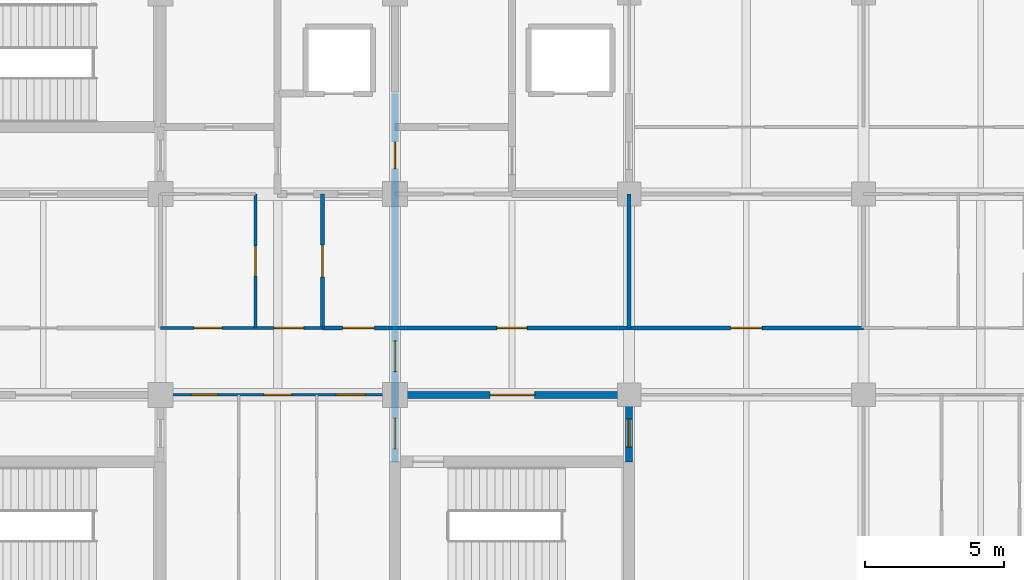
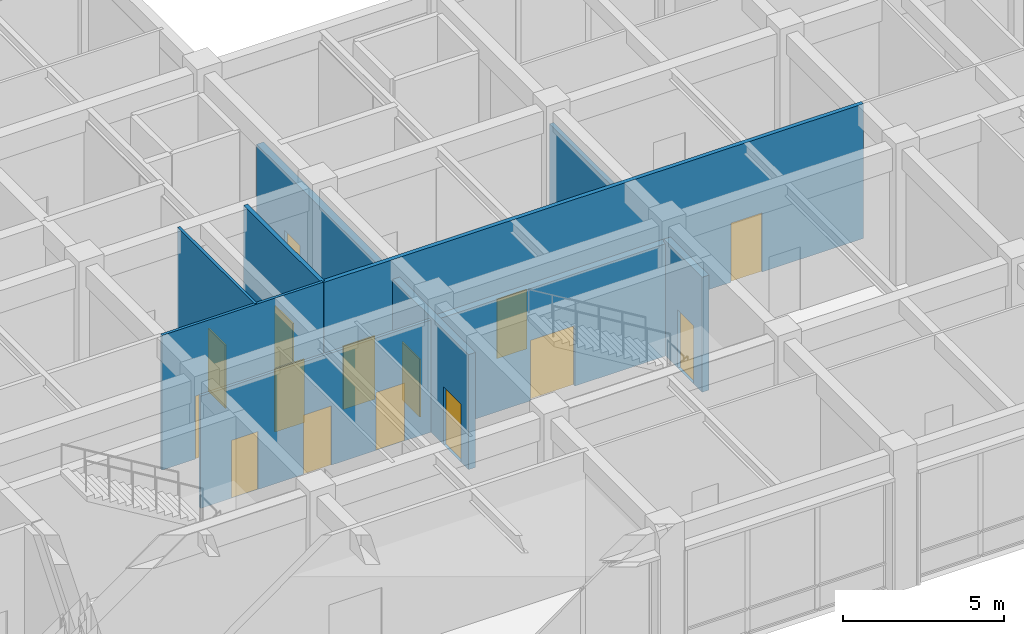
# One storey, part 39 of 58: 15 doors, 9 walls, 15 openings.
"""IFC4 building model written with IfcOpenShell, lengths in metres."""

import ifcopenshell
import ifcopenshell.guid

model = None  # the IFC model being written
_history = None  # IfcOwnerHistory: only IFC2X3 demands one
_inside = {}  # id of a spatial element -> (the spatial element, [elements in it])
_under = {}  # id of a project, library or spatial element -> (it, [spatial elements below it])
_declared = {}  # id of a project -> (the project, [libraries it declares])
_typed = {}  # id of a type object -> (the type object, [elements of that type])
_made_of = {}  # id of a material, layer set ... -> (it, [elements and type objects made of it])


def new_model(schema):
    """Start an empty IFC model of exactly this schema.

    Asked for "IFC4X3", IfcOpenShell would pick the latest addendum, in which some entities
    have other attributes; the version numbers below select the first issue.
    IFC2X3 requires an IfcOwnerHistory on every rooted entity: one is made here for all.
    """
    global model, _history
    if schema == "IFC4X3":
        model = ifcopenshell.file(schema_version=(4, 3, 0, 0))
    else:
        model = ifcopenshell.file(schema=schema)
    _inside.clear()
    _under.clear()
    _declared.clear()
    _typed.clear()
    _made_of.clear()
    _history = None
    if model.schema == "IFC2X3":
        org = make("IfcOrganization", Name="unknown")
        user = make(
            "IfcPersonAndOrganization",
            ThePerson=make("IfcPerson", FamilyName="unknown"),
            TheOrganization=org,
        )
        app = make(
            "IfcApplication",
            ApplicationDeveloper=org,
            Version="unknown",
            ApplicationFullName="unknown",
            ApplicationIdentifier="unknown",
        )
        _history = make(
            "IfcOwnerHistory",
            OwningUser=user,
            OwningApplication=app,
            ChangeAction="ADDED",
            CreationDate=0,
        )
    return model


def make(cls, **values):
    """One entity of the class cls with the attributes given. An attribute that is None is left unset."""
    return model.create_entity(
        cls, **{name: value for name, value in values.items() if value is not None}
    )


def rooted(cls, **values):
    """An entity with a GlobalId (a new one), such as an element, a storey or a relation."""
    return make(cls, GlobalId=ifcopenshell.guid.new(), OwnerHistory=_history, **values)


def si_unit(unit_type, name, prefix=None):
    """IfcSIUnit, for example si_unit("LENGTHUNIT", "METRE", prefix="MILLI")."""
    return make("IfcSIUnit", UnitType=unit_type, Prefix=prefix, Name=name)


def assignment(units):
    """IfcUnitAssignment: the units of a project."""
    return None if units is None else make("IfcUnitAssignment", Units=units)


def point(xyz):
    """IfcCartesianPoint."""
    return None if xyz is None else make("IfcCartesianPoint", Coordinates=xyz)


def direction(xyz):
    """IfcDirection."""
    return None if xyz is None else make("IfcDirection", DirectionRatios=xyz)


def frame(location, z_axis=None, x_axis=None):
    """IfcAxis2Placement3D, a coordinate frame: its origin and axes. An axis left out is left unset."""
    return make(
        "IfcAxis2Placement3D",
        Location=point(location),
        Axis=direction(z_axis),
        RefDirection=direction(x_axis),
    )


def frame_2d(location, x_axis=None):
    """IfcAxis2Placement2D, a coordinate frame in the plane: its origin and x axis."""
    return make(
        "IfcAxis2Placement2D", Location=point(location), RefDirection=direction(x_axis)
    )


def origin():
    """The frame at (0, 0, 0) with its axes left unset."""
    return frame((0.0, 0.0, 0.0))


def place(relative_to, where):
    """IfcLocalPlacement: puts the frame where relative to a parent placement (None: the world)."""
    return make(
        "IfcLocalPlacement", PlacementRelTo=relative_to, RelativePlacement=where
    )


def context(
    kind, dimensions, precision=None, world=None, true_north=None, identifier=None
):
    """IfcGeometricRepresentationContext, for example the 3D "Model" context."""
    return make(
        "IfcGeometricRepresentationContext",
        ContextIdentifier=identifier,
        ContextType=kind,
        CoordinateSpaceDimension=dimensions,
        Precision=precision,
        WorldCoordinateSystem=world,
        TrueNorth=true_north,
    )


def subcontext(parent, identifier, kind, view, scale=None):
    """IfcGeometricRepresentationSubContext, for example "Body" below "Model"."""
    return make(
        "IfcGeometricRepresentationSubContext",
        ContextIdentifier=identifier,
        ContextType=kind,
        ParentContext=parent,
        TargetScale=scale,
        TargetView=view,
    )


def project(units=None, contexts=None):
    """IfcProject with its units and contexts."""
    return rooted(
        "IfcProject",
        Name="project",
        RepresentationContexts=contexts,
        UnitsInContext=assignment(units),
    )


def spatial(cls, under=None, at=None, **own):
    """A site, building, storey or space (cls), placed at a placement, below another one or the project."""
    s = rooted(cls, ObjectPlacement=at, **own)
    if under is not None:
        _under.setdefault(under.id(), (under, []))[1].append(s)
    return s


def profile(cls, at=None, kind="AREA", **sizes):
    """A parametric profile (cls). Its sizes go by their IFC names, for example OverallWidth=200.0."""
    return make(cls, ProfileType=kind, Position=at, **sizes)


def rectangle(**sizes):
    """IfcRectangleProfileDef."""
    return profile("IfcRectangleProfileDef", **sizes)


def extrude(swept, where, along, depth):
    """IfcExtrudedAreaSolid: the profile swept, set in the frame where, extruded along a direction by depth."""
    return make(
        "IfcExtrudedAreaSolid",
        SweptArea=swept,
        Position=where,
        ExtrudedDirection=direction(along),
        Depth=depth,
    )


def shape(context_of_items, identifier, shape_type, items):
    """IfcShapeRepresentation: the items that make up one representation, for example the "Body"."""
    return make(
        "IfcShapeRepresentation",
        ContextOfItems=context_of_items,
        RepresentationIdentifier=identifier,
        RepresentationType=shape_type,
        Items=items,
    )


def material(Name=None, Category=None):
    """IfcMaterial."""
    return make("IfcMaterial", Name=Name, Category=Category)


def layer(
    of_material, thickness, ventilated=None, Name=None, Category=None, Priority=None
):
    """IfcMaterialLayer: one layer of a wall or slab, of a material (None: an air gap)."""
    return make(
        "IfcMaterialLayer",
        Material=of_material,
        LayerThickness=thickness,
        IsVentilated=ventilated,
        Name=Name,
        Category=Category,
        Priority=Priority,
    )


def layer_set(layers, Name=None):
    """IfcMaterialLayerSet."""
    return make("IfcMaterialLayerSet", MaterialLayers=layers, LayerSetName=Name)


def made_of(thing, what):
    """Note that an element or type object is made of a material, layer set ...; save() writes the relation."""
    if what is not None:
        _made_of.setdefault(what.id(), (what, []))[1].append(thing)
    return thing


def type_object(cls, material=None, **own):
    """A type object (cls), such as IfcWallType, which elements share."""
    return made_of(rooted(cls, **own), material)


def element(
    cls,
    number,
    at=None,
    inside=None,
    cuts=None,
    type_object=None,
    material=None,
    context=None,
    identifier="Body",
    shape_type=None,
    held_by="IfcProductDefinitionShape",
    body=None,
    shapes=None,
    **own,
):
    """One element of the class cls, such as IfcWall. Its Tag is "e" and its number.

    at: its placement. inside: the storey or other place that contains it. cuts: it is an
    opening in that element (IfcRelVoidsElement). A single representation is given by context,
    identifier, shape_type and body (its items); several are given by shapes. held_by: the class
    of the entity that holds the representations. save() writes the other relations.
    """
    e = rooted(cls, Tag="e%d" % number, ObjectPlacement=at, **own)
    if body is not None:
        shapes = [shape(context, identifier, shape_type, body)]
    if shapes is not None:
        e.Representation = make(held_by, Representations=shapes)
    if inside is not None:
        _inside.setdefault(inside.id(), (inside, []))[1].append(e)
    if cuts is not None:
        rooted(
            "IfcRelVoidsElement", RelatingBuildingElement=cuts, RelatedOpeningElement=e
        )
    if type_object is not None:
        _typed.setdefault(type_object.id(), (type_object, []))[1].append(e)
    return made_of(e, material)


def fill(opening, filler):
    """IfcRelFillsElement: the door or window that sits in an opening."""
    return rooted(
        "IfcRelFillsElement",
        RelatingOpeningElement=opening,
        RelatedBuildingElement=filler,
    )


def aggregate(whole, parts):
    """IfcRelAggregates: a whole, such as a stair, and the parts it consists of."""
    return rooted("IfcRelAggregates", RelatingObject=whole, RelatedObjects=parts)


def save(model, path):
    """Write the relations noted so far, then the file.

    IfcRelAggregates (storeys below a building ...), IfcRelContainedInSpatialStructure (elements
    in a storey), IfcRelDefinesByType, IfcRelAssociatesMaterial and IfcRelDeclares: one each for
    every whole, place, type object, material and project.
    """
    for whole, parts in _under.values():
        aggregate(whole, parts)
    for where, things in _inside.values():
        rooted(
            "IfcRelContainedInSpatialStructure",
            RelatedElements=things,
            RelatingStructure=where,
        )
    for kind, things in _typed.values():
        rooted("IfcRelDefinesByType", RelatedObjects=things, RelatingType=kind)
    for what, things in _made_of.values():
        rooted("IfcRelAssociatesMaterial", RelatedObjects=things, RelatingMaterial=what)
    for by, libraries in _declared.values():
        rooted("IfcRelDeclares", RelatingContext=by, RelatedDefinitions=libraries)
    model.write(path)


model = new_model("IFC4")

# Units and contexts
model_context = context("Model", 3, precision=1e-05, world=origin(), true_north=direction((0.0, 1.0)))
body_context = subcontext(model_context, "Body", "Model", "MODEL_VIEW")
ifc_project = project(units=[si_unit("LENGTHUNIT", "METRE"), si_unit("AREAUNIT", "SQUARE_METRE"), si_unit("VOLUMEUNIT", "CUBIC_METRE"), si_unit("PLANEANGLEUNIT", "RADIAN"), si_unit("MASSUNIT", "GRAM", prefix="KILO")], contexts=[model_context])

# Site, building, storey
site_placement = place(None, origin())
site = spatial("IfcSite", under=ifc_project, at=site_placement, CompositionType="ELEMENT")
building_placement = place(site_placement, origin())
building = spatial("IfcBuilding", under=site, at=building_placement, Name="Chengyuan Square Courthouse", CompositionType="ELEMENT")
storey_placement = place(building_placement, frame((0.0, 0.0, 16.199951171875)))
storey = spatial("IfcBuildingStorey", under=building, at=storey_placement, Name="L04", CompositionType="ELEMENT", Elevation=16.199951171875)

# Wall, opening, door
ifc_material_1 = material(Name="Concrete C40", Category="concrete")
ifc_layer_1 = layer(ifc_material_1, 0.25)
ifc_layer_set_1 = layer_set([ifc_layer_1], Name="Concrete C40")
wall_type_1 = type_object("IfcWallType", Name="WL-FW1", PredefinedType="STANDARD", material=ifc_layer_set_1)
wall_1_placement = place(storey_placement, frame((117.60009765625, 93.60009765625, 0.0), z_axis=(0.0, 0.0, 1.0), x_axis=(1.0, 0.0, 0.0)))
wall_1 = element("IfcWall", 1, at=wall_1_placement, inside=storey, type_object=wall_type_1, Name="Interior Wall WL-L04-I1818", PredefinedType="STANDARD", context=body_context, shape_type="SweptSolid", body=[
    extrude(rectangle(XDim=8.39990234375, YDim=0.25, at=frame_2d((4.199951171875, 0.0))), origin(), (0.0, 0.0, 1.0), 4.27001953125),
])
opening_1_placement = place(wall_1_placement, frame((3.41259765625, 0.0, 0.0)))
opening_1 = element("IfcOpeningElement", 2, at=opening_1_placement, cuts=wall_1, Name="Opening DR-1648", PredefinedType="OPENING", context=body_context, shape_type="SweptSolid", body=[
    extrude(rectangle(XDim=1.60009765625, YDim=2.300048828125, at=frame_2d((0.800048828125, 1.14990234375))), frame((0.0, 0.136962890625, 0.0), z_axis=(0.0, -1.0, 0.0), x_axis=(1.0, 0.0, 0.0)), (0.0, 0.0, 1.0), 0.27392578125),
])
ifc_material_2 = material(Name="Steel Q235B Glazed Fire Door", Category="steel")
door_type_1 = type_object("IfcDoorType", Name="DT-17", OperationType="DOUBLE_DOOR_SINGLE_SWING", PredefinedType="DOOR", material=ifc_material_2)
door_1_placement = place(opening_1_placement, frame((1.60009765625, 0.0, 0.0), z_axis=(0.0, 0.0, 1.0), x_axis=(-1.0, 0.0, 0.0)))
door_1 = element("IfcDoor", 3, at=door_1_placement, inside=storey, type_object=door_type_1, Name="Interior Door DR-1648", OperationType="DOUBLE_DOOR_SINGLE_SWING", OverallHeight=2.300048828125, OverallWidth=1.60009765625, PredefinedType="DOOR", context=body_context, shape_type="SweptSolid", body=[
    extrude(rectangle(XDim=1.60009765625, YDim=2.300048828125, at=frame_2d((0.800048828125, 1.14990234375))), frame((0.0, 0.02490234375, 0.0), z_axis=(0.0, -1.0, 0.0), x_axis=(1.0, 0.0, 0.0)), (0.0, 0.0, 1.0), 0.050048828125),
])
fill(opening_1, door_1)

# Wall, openings, doors
wall_2_placement = place(storey_placement, frame((117.60009765625, 91.199951171875, 0.0), z_axis=(0.0, 0.0, 1.0), x_axis=(0.0, 1.0, 0.0)))
wall_2 = element("IfcWall", 4, at=wall_2_placement, inside=storey, type_object=wall_type_1, Name="Interior Wall WL-L04-I2055", PredefinedType="STANDARD", context=body_context, shape_type="SweptSolid", body=[
    extrude(rectangle(XDim=13.199951171875, YDim=0.25, at=frame_2d((6.60009765625, 0.0))), origin(), (0.0, 0.0, 1.0), 4.3701171875),
])
opening_2_placement = place(wall_2_placement, frame((0.465087890625, 0.0, 0.0)))
opening_2 = element("IfcOpeningElement", 5, at=opening_2_placement, cuts=wall_2, Name="Opening DR-1649", PredefinedType="OPENING", context=body_context, shape_type="SweptSolid", body=[
    extrude(rectangle(XDim=1.10009765625, YDim=2.199951171875, at=frame_2d((0.550048828125, 1.10009765625))), frame((0.0, 0.136962890625, 0.0), z_axis=(0.0, -1.0, 0.0), x_axis=(1.0, 0.0, 0.0)), (0.0, 0.0, 1.0), 0.27392578125),
])
opening_3_placement = place(wall_2_placement, frame((10.510009765625, 0.0, 0.0)))
opening_3 = element("IfcOpeningElement", 6, at=opening_3_placement, cuts=wall_2, Name="Opening DR-1684", PredefinedType="OPENING", context=body_context, shape_type="SweptSolid", body=[
    extrude(rectangle(XDim=0.949951171875, YDim=2.14990234375, at=frame_2d((0.47509765625, 1.074951171875))), frame((0.0, 0.136962890625, 0.0), z_axis=(0.0, -1.0, 0.0), x_axis=(1.0, 0.0, 0.0)), (0.0, 0.0, 1.0), 0.27392578125),
])
opening_4_placement = place(wall_2_placement, frame((3.235107421875, 0.0, 0.0)))
opening_4 = element("IfcOpeningElement", 7, at=opening_4_placement, cuts=wall_2, Name="Opening DR-1772", PredefinedType="OPENING", context=body_context, shape_type="SweptSolid", body=[
    extrude(rectangle(XDim=1.10009765625, YDim=2.199951171875, at=frame_2d((0.550048828125, 1.10009765625))), frame((0.0, 0.136962890625, 0.0), z_axis=(0.0, -1.0, 0.0), x_axis=(1.0, 0.0, 0.0)), (0.0, 0.0, 1.0), 0.27392578125),
])
ifc_material_3 = material(Name="Steel Q235B Fire Door", Category="steel")
door_type_2 = type_object("IfcDoorType", Name="DT-10", OperationType="NOTDEFINED", PredefinedType="DOOR", material=ifc_material_3)
door_2_placement = place(opening_2_placement, origin())
door_2 = element("IfcDoor", 8, at=door_2_placement, inside=storey, type_object=door_type_2, Name="Interior Door DR-1649", OperationType="SINGLE_SWING_LEFT", OverallHeight=2.199951171875, OverallWidth=1.10009765625, PredefinedType="DOOR", context=body_context, shape_type="SweptSolid", body=[
    extrude(rectangle(XDim=1.10009765625, YDim=2.199951171875, at=frame_2d((0.550048828125, 1.10009765625))), frame((0.0, 0.02490234375, 0.0), z_axis=(0.0, -1.0, 0.0), x_axis=(1.0, 0.0, 0.0)), (0.0, 0.0, 1.0), 0.050048828125),
])
fill(opening_2, door_2)
door_3_placement = place(opening_4_placement, origin())
door_3 = element("IfcDoor", 9, at=door_3_placement, inside=storey, type_object=door_type_2, Name="Interior Door DR-1772", OperationType="SINGLE_SWING_RIGHT", OverallHeight=2.199951171875, OverallWidth=1.10009765625, PredefinedType="DOOR", context=body_context, shape_type="SweptSolid", body=[
    extrude(rectangle(XDim=1.10009765625, YDim=2.199951171875, at=frame_2d((0.550048828125, 1.10009765625))), frame((0.0, 0.02490234375, 0.0), z_axis=(0.0, -1.0, 0.0), x_axis=(1.0, 0.0, 0.0)), (0.0, 0.0, 1.0), 0.050048828125),
])
fill(opening_4, door_3)
door_type_3 = type_object("IfcDoorType", Name="DT-12", OperationType="NOTDEFINED", PredefinedType="DOOR", material=ifc_material_3)
door_4_placement = place(opening_3_placement, origin())
door_4 = element("IfcDoor", 10, at=door_4_placement, inside=storey, type_object=door_type_3, Name="Interior Door DR-1684", OperationType="SINGLE_SWING_RIGHT", OverallHeight=2.14990234375, OverallWidth=0.949951171875, PredefinedType="DOOR", context=body_context, shape_type="SweptSolid", body=[
    extrude(rectangle(XDim=0.949951171875, YDim=2.14990234375, at=frame_2d((0.47509765625, 1.074951171875))), frame((0.0, 0.02490234375, 0.0), z_axis=(0.0, -1.0, 0.0), x_axis=(1.0, 0.0, 0.0)), (0.0, 0.0, 1.0), 0.050048828125),
])
fill(opening_3, door_4)

# Wall, opening, door
wall_3_placement = place(storey_placement, frame((126.0, 91.199951171875, 0.0), z_axis=(0.0, 0.0, 1.0), x_axis=(0.0, 1.0, 0.0)))
wall_3 = element("IfcWall", 11, at=wall_3_placement, inside=storey, type_object=wall_type_1, Name="Interior Wall WL-L04-I2063", PredefinedType="STANDARD", context=body_context, shape_type="SweptSolid", body=[
    extrude(rectangle(XDim=2.400146484375, YDim=0.25, at=frame_2d((1.2001953125, 0.0))), origin(), (0.0, 0.0, 1.0), 4.3701171875),
])
opening_5_placement = place(wall_3_placement, frame((0.527587890625, 0.0, 0.0)))
opening_5 = element("IfcOpeningElement", 12, at=opening_5_placement, cuts=wall_3, Name="Opening DR-1650", PredefinedType="OPENING", context=body_context, shape_type="SweptSolid", body=[
    extrude(rectangle(XDim=1.0, YDim=2.199951171875, at=frame_2d((0.5, 1.10009765625))), frame((0.0, 0.136962890625, 0.0), z_axis=(0.0, -1.0, 0.0), x_axis=(1.0, 0.0, 0.0)), (0.0, 0.0, 1.0), 0.27392578125),
])
door_type_4 = type_object("IfcDoorType", Name="DT-11", OperationType="NOTDEFINED", PredefinedType="DOOR", material=ifc_material_3)
door_5_placement = place(opening_5_placement, origin())
door_5 = element("IfcDoor", 13, at=door_5_placement, inside=storey, type_object=door_type_4, Name="Interior Door DR-1650", OperationType="SINGLE_SWING_RIGHT", OverallHeight=2.199951171875, OverallWidth=1.0, PredefinedType="DOOR", context=body_context, shape_type="SweptSolid", body=[
    extrude(rectangle(XDim=1.0, YDim=2.199951171875, at=frame_2d((0.5, 1.10009765625))), frame((0.0, 0.02490234375, 0.0), z_axis=(0.0, -1.0, 0.0), x_axis=(1.0, 0.0, 0.0)), (0.0, 0.0, 1.0), 0.050048828125),
])
fill(opening_5, door_5)

# Wall, openings, doors
ifc_material_4 = material(Name="Deliberation Room Sound-Insulated Partition")
ifc_layer_2 = layer(ifc_material_4, 0.14990234375)
ifc_layer_set_2 = layer_set([ifc_layer_2], Name="Deliberation Room Sound-Insulated Partition")
wall_type_2 = type_object("IfcWallType", Name="WL-PT3", PredefinedType="STANDARD", material=ifc_layer_set_2)
wall_4_placement = place(storey_placement, frame((115.0, 96.0, 0.0), z_axis=(0.0, 0.0, 1.0), x_axis=(1.0, 0.0, 0.0)))
wall_4 = element("IfcWall", 14, at=wall_4_placement, inside=storey, type_object=wall_type_2, Name="Interior Wall WL-L04-I1831", PredefinedType="STANDARD", context=body_context, shape_type="SweptSolid", body=[
    extrude(rectangle(XDim=19.39990234375, YDim=0.14990234375, at=frame_2d((9.699951171875, 0.0))), origin(), (0.0, 0.0, 1.0), 5.1201171875),
])
opening_6_placement = place(wall_4_placement, frame((0.72998046875, 0.0, 0.0)))
opening_6 = element("IfcOpeningElement", 15, at=opening_6_placement, cuts=wall_4, Name="Opening DR-1780", PredefinedType="OPENING", context=body_context, shape_type="SweptSolid", body=[
    extrude(rectangle(XDim=1.139892578125, YDim=2.39990234375, at=frame_2d((0.56982421875, 1.199951171875))), frame((0.0, 0.0869140625, 0.0), z_axis=(0.0, -1.0, 0.0), x_axis=(1.0, 0.0, 0.0)), (0.0, 0.0, 1.0), 0.173828125),
])
opening_7_placement = place(wall_4_placement, frame((6.260009765625, 0.0, 0.0)))
opening_7 = element("IfcOpeningElement", 16, at=opening_7_placement, cuts=wall_4, Name="Opening DR-1787", PredefinedType="OPENING", context=body_context, shape_type="SweptSolid", body=[
    extrude(rectangle(XDim=1.080078125, YDim=2.25, at=frame_2d((0.5400390625, 1.125))), frame((0.0, 0.0869140625, 0.0), z_axis=(0.0, -1.0, 0.0), x_axis=(1.0, 0.0, 0.0)), (0.0, 0.0, 1.0), 0.173828125),
])
opening_8_placement = place(wall_4_placement, frame((14.639892578125, 0.0, 0.0)))
opening_8 = element("IfcOpeningElement", 17, at=opening_8_placement, cuts=wall_4, Name="Opening DR-1788", PredefinedType="OPENING", context=body_context, shape_type="SweptSolid", body=[
    extrude(rectangle(XDim=1.1201171875, YDim=2.25, at=frame_2d((0.56005859375, 1.125))), frame((0.0, 0.0869140625, 0.0), z_axis=(0.0, -1.0, 0.0), x_axis=(1.0, 0.0, 0.0)), (0.0, 0.0, 1.0), 0.173828125),
])
ifc_material_5 = material(Name="Acoustic Solid-Core Timber Door", Category="wood")
door_type_5 = type_object("IfcDoorType", Name="DT-33", OperationType="NOTDEFINED", PredefinedType="DOOR", material=ifc_material_5)
door_6_placement = place(opening_7_placement, origin())
door_6 = element("IfcDoor", 18, at=door_6_placement, inside=storey, type_object=door_type_5, Name="Interior Door DR-1787", OperationType="SINGLE_SWING_LEFT", OverallHeight=2.25, OverallWidth=1.080078125, PredefinedType="DOOR", context=body_context, shape_type="SweptSolid", body=[
    extrude(rectangle(XDim=1.080078125, YDim=2.25, at=frame_2d((0.5400390625, 1.125))), frame((0.0, 0.02490234375, 0.0), z_axis=(0.0, -1.0, 0.0), x_axis=(1.0, 0.0, 0.0)), (0.0, 0.0, 1.0), 0.050048828125),
])
fill(opening_7, door_6)
door_type_6 = type_object("IfcDoorType", Name="DT-34", OperationType="NOTDEFINED", PredefinedType="DOOR", material=ifc_material_5)
door_7_placement = place(opening_8_placement, origin())
door_7 = element("IfcDoor", 19, at=door_7_placement, inside=storey, type_object=door_type_6, Name="Interior Door DR-1788", OperationType="SINGLE_SWING_RIGHT", OverallHeight=2.25, OverallWidth=1.1201171875, PredefinedType="DOOR", context=body_context, shape_type="SweptSolid", body=[
    extrude(rectangle(XDim=1.1201171875, YDim=2.25, at=frame_2d((0.56005859375, 1.125))), frame((0.0, 0.02490234375, 0.0), z_axis=(0.0, -1.0, 0.0), x_axis=(1.0, 0.0, 0.0)), (0.0, 0.0, 1.0), 0.050048828125),
])
fill(opening_8, door_7)
door_type_7 = type_object("IfcDoorType", Name="DT-43", OperationType="NOTDEFINED", PredefinedType="DOOR", material=ifc_material_5)
door_8_placement = place(opening_6_placement, origin())
door_8 = element("IfcDoor", 20, at=door_8_placement, inside=storey, type_object=door_type_7, Name="Interior Door DR-1780", OperationType="SINGLE_SWING_RIGHT", OverallHeight=2.39990234375, OverallWidth=1.139892578125, PredefinedType="DOOR", context=body_context, shape_type="SweptSolid", body=[
    extrude(rectangle(XDim=1.139892578125, YDim=2.39990234375, at=frame_2d((0.56982421875, 1.199951171875))), frame((0.0, 0.02490234375, 0.0), z_axis=(0.0, -1.0, 0.0), x_axis=(1.0, 0.0, 0.0)), (0.0, 0.0, 1.0), 0.050048828125),
])
fill(opening_6, door_8)

# Wall, opening, door
wall_5_placement = place(storey_placement, frame((115.0, 96.0, 0.0), z_axis=(0.0, 0.0, 1.0), x_axis=(0.0, 1.0, 0.0)))
wall_5 = element("IfcWall", 21, at=wall_5_placement, inside=storey, type_object=wall_type_2, Name="Interior Wall WL-L04-I2051", PredefinedType="STANDARD", context=body_context, shape_type="SweptSolid", body=[
    extrude(rectangle(XDim=4.800048828125, YDim=0.14990234375, at=frame_2d((2.39990234375, 0.0))), origin(), (0.0, 0.0, 1.0), 5.1201171875),
])
opening_9_placement = place(wall_5_placement, frame((1.830078125, 0.0, 0.0)))
opening_9 = element("IfcOpeningElement", 22, at=opening_9_placement, cuts=wall_5, Name="Opening DR-1814", PredefinedType="OPENING", context=body_context, shape_type="SweptSolid", body=[
    extrude(rectangle(XDim=1.139892578125, YDim=2.39990234375, at=frame_2d((0.56982421875, 1.199951171875))), frame((0.0, 0.0869140625, 0.0), z_axis=(0.0, -1.0, 0.0), x_axis=(1.0, 0.0, 0.0)), (0.0, 0.0, 1.0), 0.173828125),
])
door_9_placement = place(opening_9_placement, origin())
door_9 = element("IfcDoor", 23, at=door_9_placement, inside=storey, type_object=door_type_7, Name="Interior Door DR-1814", OperationType="SINGLE_SWING_LEFT", OverallHeight=2.39990234375, OverallWidth=1.139892578125, PredefinedType="DOOR", context=body_context, shape_type="SweptSolid", body=[
    extrude(rectangle(XDim=1.139892578125, YDim=2.39990234375, at=frame_2d((0.56982421875, 1.199951171875))), frame((0.0, 0.02490234375, 0.0), z_axis=(0.0, -1.0, 0.0), x_axis=(1.0, 0.0, 0.0)), (0.0, 0.0, 1.0), 0.050048828125),
])
fill(opening_9, door_9)

# Wall
wall_6_placement = place(storey_placement, frame((126.0, 96.0, 0.0), z_axis=(0.0, 0.0, 1.0), x_axis=(0.0, 1.0, 0.0)))
element("IfcWall", 24, at=wall_6_placement, inside=storey, type_object=wall_type_2, Name="Interior Wall WL-L04-I2064", PredefinedType="STANDARD", context=body_context, shape_type="SweptSolid", body=[
    extrude(rectangle(XDim=4.800048828125, YDim=0.14990234375, at=frame_2d((2.39990234375, 0.0))), origin(), (0.0, 0.0, 1.0), 4.3701171875),
])

# Wall, openings, doors
ifc_material_6 = material(Name="Gypsum Plasterboard Acoustic Stud Partition")
ifc_layer_3 = layer(ifc_material_6, 0.10009765625)
ifc_layer_set_3 = layer_set([ifc_layer_3], Name="Gypsum Plasterboard Acoustic Stud Partition")
wall_type_3 = type_object("IfcWallType", Name="WL-PT6", PredefinedType="STANDARD", material=ifc_layer_set_3)
wall_7_placement = place(storey_placement, frame((109.199951171875, 93.60009765625, 0.0), z_axis=(0.0, 0.0, 1.0), x_axis=(1.0, 0.0, 0.0)))
wall_7 = element("IfcWall", 25, at=wall_7_placement, inside=storey, type_object=wall_type_3, Name="Interior Wall WL-L04-I1817", PredefinedType="STANDARD", context=body_context, shape_type="SweptSolid", body=[
    extrude(rectangle(XDim=8.400146484375, YDim=0.10009765625, at=frame_2d((4.2001953125, 0.0))), origin(), (0.0, 0.0, 1.0), 4.27001953125),
])
opening_10_placement = place(wall_7_placement, frame((1.10498046875, 0.0, 0.0)))
opening_10 = element("IfcOpeningElement", 26, at=opening_10_placement, cuts=wall_7, Name="Opening DR-1784", PredefinedType="OPENING", context=body_context, shape_type="SweptSolid", body=[
    extrude(rectangle(XDim=0.9599609375, YDim=2.199951171875, at=frame_2d((0.47998046875, 1.10009765625))), frame((0.0, 0.06201171875, 0.0), z_axis=(0.0, -1.0, 0.0), x_axis=(1.0, 0.0, 0.0)), (0.0, 0.0, 1.0), 0.1240234375),
])
opening_11_placement = place(wall_7_placement, frame((3.699951171875, 0.0, 0.0)))
opening_11 = element("IfcOpeningElement", 27, at=opening_11_placement, cuts=wall_7, Name="Opening DR-1785", PredefinedType="OPENING", context=body_context, shape_type="SweptSolid", body=[
    extrude(rectangle(XDim=1.0, YDim=2.25, at=frame_2d((0.5, 1.125))), frame((0.0, 0.06201171875, 0.0), z_axis=(0.0, -1.0, 0.0), x_axis=(1.0, 0.0, 0.0)), (0.0, 0.0, 1.0), 0.1240234375),
])
opening_12_placement = place(wall_7_placement, frame((6.294921875, 0.0, 0.0)))
opening_12 = element("IfcOpeningElement", 28, at=opening_12_placement, cuts=wall_7, Name="Opening DR-1786", PredefinedType="OPENING", context=body_context, shape_type="SweptSolid", body=[
    extrude(rectangle(XDim=1.0400390625, YDim=2.199951171875, at=frame_2d((0.52001953125, 1.10009765625))), frame((0.0, 0.06201171875, 0.0), z_axis=(0.0, -1.0, 0.0), x_axis=(1.0, 0.0, 0.0)), (0.0, 0.0, 1.0), 0.1240234375),
])
door_type_8 = type_object("IfcDoorType", Name="DT-30", OperationType="NOTDEFINED", PredefinedType="DOOR", material=ifc_material_5)
door_10_placement = place(opening_10_placement, origin())
door_10 = element("IfcDoor", 29, at=door_10_placement, inside=storey, type_object=door_type_8, Name="Interior Door DR-1784", OperationType="SINGLE_SWING_RIGHT", OverallHeight=2.199951171875, OverallWidth=0.9599609375, PredefinedType="DOOR", context=body_context, shape_type="SweptSolid", body=[
    extrude(rectangle(XDim=0.9599609375, YDim=2.199951171875, at=frame_2d((0.47998046875, 1.10009765625))), frame((0.0, 0.02490234375, 0.0), z_axis=(0.0, -1.0, 0.0), x_axis=(1.0, 0.0, 0.0)), (0.0, 0.0, 1.0), 0.050048828125),
])
fill(opening_10, door_10)
door_type_9 = type_object("IfcDoorType", Name="DT-31", OperationType="NOTDEFINED", PredefinedType="DOOR", material=ifc_material_5)
door_11_placement = place(opening_11_placement, origin())
door_11 = element("IfcDoor", 30, at=door_11_placement, inside=storey, type_object=door_type_9, Name="Interior Door DR-1785", OperationType="SINGLE_SWING_LEFT", OverallHeight=2.25, OverallWidth=1.0, PredefinedType="DOOR", context=body_context, shape_type="SweptSolid", body=[
    extrude(rectangle(XDim=1.0, YDim=2.25, at=frame_2d((0.5, 1.125))), frame((0.0, 0.02490234375, 0.0), z_axis=(0.0, -1.0, 0.0), x_axis=(1.0, 0.0, 0.0)), (0.0, 0.0, 1.0), 0.050048828125),
])
fill(opening_11, door_11)
door_type_10 = type_object("IfcDoorType", Name="DT-32", OperationType="NOTDEFINED", PredefinedType="DOOR", material=ifc_material_5)
door_12_placement = place(opening_12_placement, origin())
door_12 = element("IfcDoor", 31, at=door_12_placement, inside=storey, type_object=door_type_10, Name="Interior Door DR-1786", OperationType="SINGLE_SWING_RIGHT", OverallHeight=2.199951171875, OverallWidth=1.0400390625, PredefinedType="DOOR", context=body_context, shape_type="SweptSolid", body=[
    extrude(rectangle(XDim=1.0400390625, YDim=2.199951171875, at=frame_2d((0.52001953125, 1.10009765625))), frame((0.0, 0.02490234375, 0.0), z_axis=(0.0, -1.0, 0.0), x_axis=(1.0, 0.0, 0.0)), (0.0, 0.0, 1.0), 0.050048828125),
])
fill(opening_12, door_12)

wall_8_placement = place(storey_placement, frame((109.199951171875, 96.0, 0.0), z_axis=(0.0, 0.0, 1.0), x_axis=(1.0, 0.0, 0.0)))
wall_8 = element("IfcWall", 32, at=wall_8_placement, inside=storey, type_object=wall_type_3, Name="Interior Wall WL-L04-I1830", PredefinedType="STANDARD", context=body_context, shape_type="SweptSolid", body=[
    extrude(rectangle(XDim=5.800048828125, YDim=0.10009765625, at=frame_2d((2.89990234375, 0.0))), origin(), (0.0, 0.0, 1.0), 5.1201171875),
])
opening_13_placement = place(wall_8_placement, frame((1.18994140625, 0.0, 0.0)))
opening_13 = element("IfcOpeningElement", 33, at=opening_13_placement, cuts=wall_8, Name="Opening DR-1778", PredefinedType="OPENING", context=body_context, shape_type="SweptSolid", body=[
    extrude(rectangle(XDim=1.02001953125, YDim=2.39990234375, at=frame_2d((0.510009765625, 1.199951171875))), frame((0.0, 0.06201171875, 0.0), z_axis=(0.0, -1.0, 0.0), x_axis=(1.0, 0.0, 0.0)), (0.0, 0.0, 1.0), 0.1240234375),
])
opening_14_placement = place(wall_8_placement, frame((4.070068359375, 0.0, 0.0)))
opening_14 = element("IfcOpeningElement", 34, at=opening_14_placement, cuts=wall_8, Name="Opening DR-1779", PredefinedType="OPENING", context=body_context, shape_type="SweptSolid", body=[
    extrude(rectangle(XDim=1.06005859375, YDim=2.39990234375, at=frame_2d((0.530029296875, 1.199951171875))), frame((0.0, 0.06201171875, 0.0), z_axis=(0.0, -1.0, 0.0), x_axis=(1.0, 0.0, 0.0)), (0.0, 0.0, 1.0), 0.1240234375),
])
door_type_11 = type_object("IfcDoorType", Name="DT-41", OperationType="NOTDEFINED", PredefinedType="DOOR", material=ifc_material_5)
door_13_placement = place(opening_13_placement, origin())
door_13 = element("IfcDoor", 35, at=door_13_placement, inside=storey, type_object=door_type_11, Name="Interior Door DR-1778", OperationType="SINGLE_SWING_RIGHT", OverallHeight=2.39990234375, OverallWidth=1.02001953125, PredefinedType="DOOR", context=body_context, shape_type="SweptSolid", body=[
    extrude(rectangle(XDim=1.02001953125, YDim=2.39990234375, at=frame_2d((0.510009765625, 1.199951171875))), frame((0.0, 0.02490234375, 0.0), z_axis=(0.0, -1.0, 0.0), x_axis=(1.0, 0.0, 0.0)), (0.0, 0.0, 1.0), 0.050048828125),
])
fill(opening_13, door_13)
door_type_12 = type_object("IfcDoorType", Name="DT-42", OperationType="NOTDEFINED", PredefinedType="DOOR", material=ifc_material_5)
door_14_placement = place(opening_14_placement, origin())
door_14 = element("IfcDoor", 36, at=door_14_placement, inside=storey, type_object=door_type_12, Name="Interior Door DR-1779", OperationType="SINGLE_SWING_LEFT", OverallHeight=2.39990234375, OverallWidth=1.06005859375, PredefinedType="DOOR", context=body_context, shape_type="SweptSolid", body=[
    extrude(rectangle(XDim=1.06005859375, YDim=2.39990234375, at=frame_2d((0.530029296875, 1.199951171875))), frame((0.0, 0.02490234375, 0.0), z_axis=(0.0, -1.0, 0.0), x_axis=(1.0, 0.0, 0.0)), (0.0, 0.0, 1.0), 0.050048828125),
])
fill(opening_14, door_14)

# Wall, opening, door
wall_9_placement = place(storey_placement, frame((112.60009765625, 96.0, 0.0), z_axis=(0.0, 0.0, 1.0), x_axis=(0.0, 1.0, 0.0)))
wall_9 = element("IfcWall", 37, at=wall_9_placement, inside=storey, type_object=wall_type_3, Name="Interior Wall WL-L04-I2046", PredefinedType="STANDARD", context=body_context, shape_type="SweptSolid", body=[
    extrude(rectangle(XDim=4.800048828125, YDim=0.10009765625, at=frame_2d((2.39990234375, 0.0))), origin(), (0.0, 0.0, 1.0), 5.1201171875),
])
opening_15_placement = place(wall_9_placement, frame((1.8701171875, 0.0, 0.0)))
opening_15 = element("IfcOpeningElement", 38, at=opening_15_placement, cuts=wall_9, Name="Opening DR-1813", PredefinedType="OPENING", context=body_context, shape_type="SweptSolid", body=[
    extrude(rectangle(XDim=1.06005859375, YDim=2.39990234375, at=frame_2d((0.530029296875, 1.199951171875))), frame((0.0, 0.06201171875, 0.0), z_axis=(0.0, -1.0, 0.0), x_axis=(1.0, 0.0, 0.0)), (0.0, 0.0, 1.0), 0.1240234375),
])
door_15_placement = place(opening_15_placement, origin())
door_15 = element("IfcDoor", 39, at=door_15_placement, inside=storey, type_object=door_type_12, Name="Interior Door DR-1813", OperationType="SINGLE_SWING_RIGHT", OverallHeight=2.39990234375, OverallWidth=1.06005859375, PredefinedType="DOOR", context=body_context, shape_type="SweptSolid", body=[
    extrude(rectangle(XDim=1.06005859375, YDim=2.39990234375, at=frame_2d((0.530029296875, 1.199951171875))), frame((0.0, 0.02490234375, 0.0), z_axis=(0.0, -1.0, 0.0), x_axis=(1.0, 0.0, 0.0)), (0.0, 0.0, 1.0), 0.050048828125),
])
fill(opening_15, door_15)

save(model, "model.ifc")
